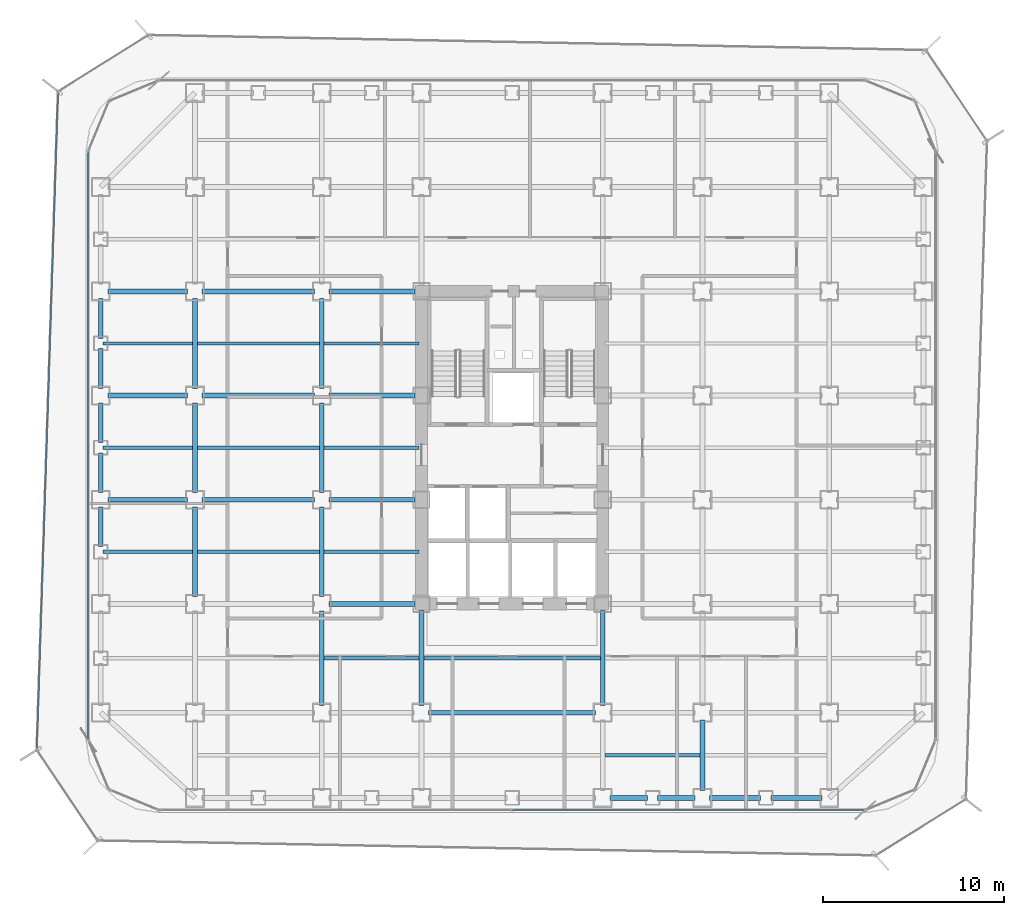
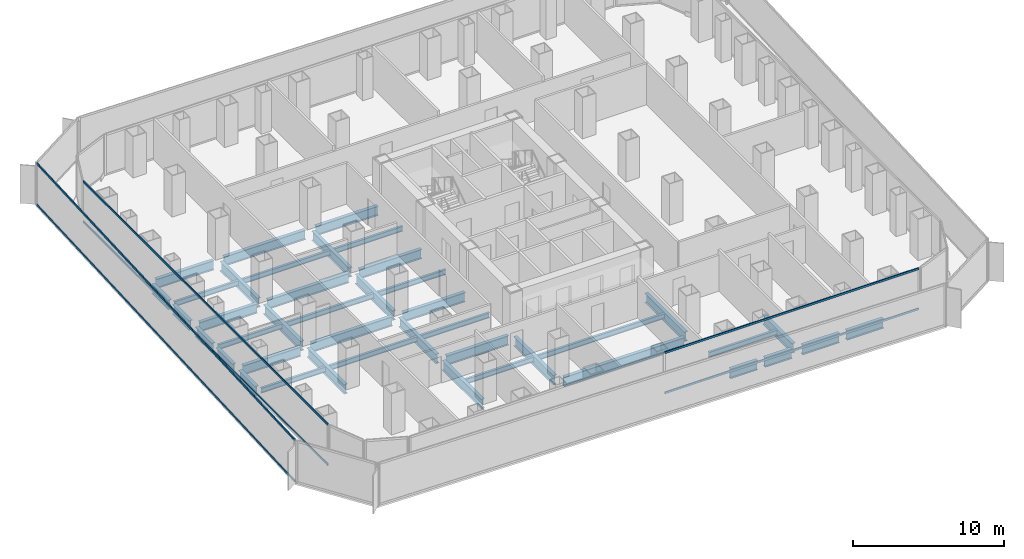
# One storey, part 5 of 22: 42 beams, 6 members, 3 elements without a shape of their own.
"""IFC4 building model written with IfcOpenShell, lengths in metres."""

from ifc_helpers import new_model, si_unit, direction, frame, origin, origin_2d, place, context, subcontext, project, spatial, hollow_rectangle, i_section, extrude, source, transform, mapped, material, layer, layer_set, material_profile, profile_set, type_object, element, aggregate, save


model = new_model("IFC4")

# Units and contexts
model_context = context("Model", 3, precision=1e-05, world=origin(), true_north=direction((0.0, 1.0)))
body_context = subcontext(model_context, "Body", "Model", "MODEL_VIEW")
ifc_project = project(units=[si_unit("LENGTHUNIT", "METRE"), si_unit("AREAUNIT", "SQUARE_METRE"), si_unit("VOLUMEUNIT", "CUBIC_METRE"), si_unit("PLANEANGLEUNIT", "RADIAN"), si_unit("MASSUNIT", "GRAM", prefix="KILO")], contexts=[model_context])

# Site, building, storey
site_placement = place(None, origin())
site = spatial("IfcSite", under=ifc_project, at=site_placement, CompositionType="ELEMENT")
building_placement = place(site_placement, origin())
building = spatial("IfcBuilding", under=site, at=building_placement, Name="Kolveth Station Tower", CompositionType="ELEMENT")
storey_placement = place(building_placement, frame((0.0, 0.0, 69.300048828125)))
storey = spatial("IfcBuildingStorey", under=building, at=storey_placement, Name="L18", CompositionType="ELEMENT", Elevation=69.300048828125)

# Beams
ifc_material_1 = material(Name="Steel S355", Category="steel")
ifc_material_profile_1 = material_profile(ifc_material_1, i_section(OverallWidth=0.26904296875, OverallDepth=0.77490234375, WebThickness=0.01708984375, FlangeThickness=0.0283203125, at=origin_2d()), Name="W760x220")
ifc_profile_set_1 = profile_set([ifc_material_profile_1], Name="Steel S355")
beam_type_1 = type_object("IfcBeamType", Name="Beam_SP1", PredefinedType="SPANDREL", material=ifc_profile_set_1)
shared_shape_1 = source(origin(), body_context, "Body", "SweptSolid", [
    extrude(i_section(OverallWidth=0.26904296875, OverallDepth=0.77490234375, WebThickness=0.01708984375, FlangeThickness=0.0283203125, at=origin_2d()), origin(), (0.0, 0.0, 1.0), 2.820068359375),
])
for number, where, z_axis, x_axis, name in (
    (1, (34.39990234375, 0.800048828125, -0.66748046875), (1.0, 0.0, 0.0), (0.0, 1.0, 0.0), "L18 Perimeter Spandrel BM-L18-PS-9"),
    (2, (37.780029296875, 0.800048828125, -0.66748046875), (1.0, 0.0, 0.0), (0.0, 1.0, 0.0), "L18 Perimeter Spandrel BM-L18-PS-10"),
):
    element("IfcBeam", number, at=place(storey_placement, frame(where, z_axis=z_axis, x_axis=x_axis)), inside=storey, type_object=beam_type_1, Name=name, PredefinedType="SPANDREL", context=body_context, shape_type="MappedRepresentation", body=[
        mapped(shared_shape_1, transform((0.0, 0.0, 0.0), x_axis=(1.0, 0.0, 0.0), y_axis=(0.0, 1.0, 0.0), z_axis=(0.0, 0.0, 1.0), scale=1.0)),
    ])
shared_shape_2 = source(origin(), body_context, "Body", "SweptSolid", [
    extrude(i_section(OverallWidth=0.26904296875, OverallDepth=0.77490234375, WebThickness=0.01708984375, FlangeThickness=0.0283203125, at=origin_2d()), origin(), (0.0, 0.0, 1.0), 2.070068359375),
])
for number, where, z_axis, x_axis, name in (
    (3, (28.89990234375, 0.800048828125, -0.66748046875), (1.0, 0.0, 0.0), (0.0, 1.0, 0.0), "L18 Perimeter Spandrel BM-L18-PS-7"),
    (4, (31.530029296875, 0.800048828125, -0.66748046875), (1.0, 0.0, 0.0), (0.0, 1.0, 0.0), "L18 Perimeter Spandrel BM-L18-PS-8"),
):
    element("IfcBeam", number, at=place(storey_placement, frame(where, z_axis=z_axis, x_axis=x_axis)), inside=storey, type_object=beam_type_1, Name=name, PredefinedType="SPANDREL", context=body_context, shape_type="MappedRepresentation", body=[
        mapped(shared_shape_2, transform((0.0, 0.0, 0.0), x_axis=(1.0, 0.0, 0.0), y_axis=(0.0, 1.0, 0.0), z_axis=(0.0, 0.0, 1.0), scale=1.0)),
    ])
shared_shape_3 = source(origin(), body_context, "Body", "SweptSolid", [
    extrude(i_section(OverallWidth=0.26904296875, OverallDepth=0.77490234375, WebThickness=0.01708984375, FlangeThickness=0.0283203125, at=origin_2d()), origin(), (0.0, 0.0, 1.0), 2.2001953125),
])
for number, where, z_axis, x_axis, name in (
    (5, (0.800048828125, 20.39990234375, -0.66748046875), (0.0, 1.0, 0.0), (-1.0, 0.0, 0.0), "L18 Perimeter Spandrel BM-L18-PW-6"),
    (6, (0.800048828125, 23.39990234375, -0.66748046875), (0.0, 1.0, 0.0), (-1.0, 0.0, 0.0), "L18 Perimeter Spandrel BM-L18-PW-7"),
):
    element("IfcBeam", number, at=place(storey_placement, frame(where, z_axis=z_axis, x_axis=x_axis)), inside=storey, type_object=beam_type_1, Name=name, PredefinedType="SPANDREL", context=body_context, shape_type="MappedRepresentation", body=[
        mapped(shared_shape_3, transform((0.0, 0.0, 0.0), x_axis=(1.0, 0.0, 0.0), y_axis=(0.0, 1.0, 0.0), z_axis=(0.0, 0.0, 1.0), scale=1.0)),
    ])
shared_shape_4 = source(origin(), body_context, "Body", "SweptSolid", [
    extrude(i_section(OverallWidth=0.26904296875, OverallDepth=0.77490234375, WebThickness=0.01708984375, FlangeThickness=0.0283203125, at=origin_2d()), origin(), (0.0, 0.0, 1.0), 2.190185546875),
])
for number, where, z_axis, x_axis, name in (
    (7, (0.800048828125, 14.659912109375, -0.66748046875), (0.0, 1.0, 0.0), (-1.0, 0.0, 0.0), "L18 Perimeter Spandrel BM-L18-PW-4"),
    (8, (0.800048828125, 17.64990234375, -0.66748046875), (0.0, 1.0, 0.0), (-1.0, 0.0, 0.0), "L18 Perimeter Spandrel BM-L18-PW-5"),
    (9, (0.800048828125, 26.159912109375, -0.66748046875), (0.0, 1.0, 0.0), (-1.0, 0.0, 0.0), "L18 Perimeter Spandrel BM-L18-PW-8"),
):
    element("IfcBeam", number, at=place(storey_placement, frame(where, z_axis=z_axis, x_axis=x_axis)), inside=storey, type_object=beam_type_1, Name=name, PredefinedType="SPANDREL", context=body_context, shape_type="MappedRepresentation", body=[
        mapped(shared_shape_4, transform((0.0, 0.0, 0.0), x_axis=(1.0, 0.0, 0.0), y_axis=(0.0, 1.0, 0.0), z_axis=(0.0, 0.0, 1.0), scale=1.0)),
    ])
ifc_material_profile_2 = material_profile(ifc_material_1, i_section(OverallWidth=0.26708984375, OverallDepth=0.76611328125, WebThickness=0.014892578125, FlangeThickness=0.023681640625, at=origin_2d()), Name="W760x185")
ifc_profile_set_2 = profile_set([ifc_material_profile_2], Name="Steel S355")
beam_type_2 = type_object("IfcBeamType", Name="Beam_B3", PredefinedType="BEAM", material=ifc_profile_set_2)
shared_shape_5 = source(origin(), body_context, "Body", "SweptSolid", [
    extrude(i_section(OverallWidth=0.26708984375, OverallDepth=0.76611328125, WebThickness=0.014892578125, FlangeThickness=0.023681640625, at=origin_2d()), origin(), (0.0, 0.0, 1.0), 4.400146484375),
])
for number, where, z_axis, x_axis, name in (
    (10, (1.199951171875, 17.25, -0.6630859375), (1.0, 0.0, 0.0), (0.0, 1.0, 0.0), "L18 Primary Girder BM-L18-GY172-1"),
    (11, (1.199951171875, 23.0, -0.6630859375), (1.0, 0.0, 0.0), (0.0, 1.0, 0.0), "L18 Primary Girder BM-L18-GY230-1"),
    (12, (1.199951171875, 28.75, -0.6630859375), (1.0, 0.0, 0.0), (0.0, 1.0, 0.0), "L18 Primary Girder BM-L18-GY287-1"),
):
    element("IfcBeam", number, at=place(storey_placement, frame(where, z_axis=z_axis, x_axis=x_axis)), inside=storey, type_object=beam_type_2, Name=name, PredefinedType="BEAM", context=body_context, shape_type="MappedRepresentation", body=[
        mapped(shared_shape_5, transform((0.0, 0.0, 0.0), x_axis=(1.0, 0.0, 0.0), y_axis=(0.0, 1.0, 0.0), z_axis=(0.0, 0.0, 1.0), scale=1.0)),
    ])
shared_shape_6 = source(origin(), body_context, "Body", "SweptSolid", [
    extrude(i_section(OverallWidth=0.26708984375, OverallDepth=0.76611328125, WebThickness=0.014892578125, FlangeThickness=0.023681640625, at=origin_2d()), origin(), (0.0, 0.0, 1.0), 6.2001953125),
])
for number, where, z_axis, x_axis, name in (
    (13, (6.39990234375, 17.25, -0.6630859375), (1.0, 0.0, 0.0), (0.0, 1.0, 0.0), "L18 Primary Girder BM-L18-GY172-2"),
    (14, (6.39990234375, 23.0, -0.6630859375), (1.0, 0.0, 0.0), (0.0, 1.0, 0.0), "L18 Primary Girder BM-L18-GY230-2"),
    (15, (6.39990234375, 28.75, -0.6630859375), (1.0, 0.0, 0.0), (0.0, 1.0, 0.0), "L18 Primary Girder BM-L18-GY287-2"),
):
    element("IfcBeam", number, at=place(storey_placement, frame(where, z_axis=z_axis, x_axis=x_axis)), inside=storey, type_object=beam_type_2, Name=name, PredefinedType="BEAM", context=body_context, shape_type="MappedRepresentation", body=[
        mapped(shared_shape_6, transform((0.0, 0.0, 0.0), x_axis=(1.0, 0.0, 0.0), y_axis=(0.0, 1.0, 0.0), z_axis=(0.0, 0.0, 1.0), scale=1.0)),
    ])
shared_shape_7 = source(origin(), body_context, "Body", "SweptSolid", [
    extrude(i_section(OverallWidth=0.26708984375, OverallDepth=0.76611328125, WebThickness=0.014892578125, FlangeThickness=0.023681640625, at=origin_2d()), origin(), (0.0, 0.0, 1.0), 9.2001953125),
])
beam_1_placement = place(storey_placement, frame((18.89990234375, 5.5, -0.6630859375), z_axis=(1.0, 0.0, 0.0), x_axis=(0.0, 1.0, 0.0)))
element("IfcBeam", 16, at=beam_1_placement, inside=storey, type_object=beam_type_2, Name="L18 Primary Girder BM-L18-GY55-4", PredefinedType="BEAM", context=body_context, shape_type="MappedRepresentation", body=[
    mapped(shared_shape_7, transform((0.0, 0.0, 0.0), x_axis=(1.0, 0.0, 0.0), y_axis=(0.0, 1.0, 0.0), z_axis=(0.0, 0.0, 1.0), scale=1.0)),
])
shared_shape_8 = source(origin(), body_context, "Body", "SweptSolid", [
    extrude(i_section(OverallWidth=0.26708984375, OverallDepth=0.76611328125, WebThickness=0.014892578125, FlangeThickness=0.023681640625, at=origin_2d()), origin(), (0.0, 0.0, 1.0), 4.739990234375),
])
for number, where, z_axis, x_axis, name in (
    (17, (13.39990234375, 11.5, -0.6630859375), (1.0, 0.0, 0.0), (0.0, 1.0, 0.0), "L18 Primary Girder BM-L18-GY115-3"),
    (18, (13.39990234375, 17.25, -0.6630859375), (1.0, 0.0, 0.0), (0.0, 1.0, 0.0), "L18 Primary Girder BM-L18-GY172-3"),
    (19, (13.39990234375, 23.0, -0.6630859375), (1.0, 0.0, 0.0), (0.0, 1.0, 0.0), "L18 Primary Girder BM-L18-GY230-3"),
    (20, (13.39990234375, 28.75, -0.6630859375), (1.0, 0.0, 0.0), (0.0, 1.0, 0.0), "L18 Primary Girder BM-L18-GY287-3"),
):
    element("IfcBeam", number, at=place(storey_placement, frame(where, z_axis=z_axis, x_axis=x_axis)), inside=storey, type_object=beam_type_2, Name=name, PredefinedType="BEAM", context=body_context, shape_type="MappedRepresentation", body=[
        mapped(shared_shape_8, transform((0.0, 0.0, 0.0), x_axis=(1.0, 0.0, 0.0), y_axis=(0.0, 1.0, 0.0), z_axis=(0.0, 0.0, 1.0), scale=1.0)),
    ])
shared_shape_9 = source(origin(), body_context, "Body", "SweptSolid", [
    extrude(i_section(OverallWidth=0.26708984375, OverallDepth=0.76611328125, WebThickness=0.014892578125, FlangeThickness=0.023681640625, at=origin_2d()), origin(), (0.0, 0.0, 1.0), 3.900146484375),
])
beam_2_placement = place(storey_placement, frame((34.0, 1.199951171875, -0.6630859375), z_axis=(0.0, 1.0, 0.0), x_axis=(-1.0, 0.0, 0.0)))
element("IfcBeam", 21, at=beam_2_placement, inside=storey, type_object=beam_type_2, Name="L18 Primary Girder BM-L18-GX340-1", PredefinedType="BEAM", context=body_context, shape_type="MappedRepresentation", body=[
    mapped(shared_shape_9, transform((0.0, 0.0, 0.0), x_axis=(1.0, 0.0, 0.0), y_axis=(0.0, 1.0, 0.0), z_axis=(0.0, 0.0, 1.0), scale=1.0)),
])
shared_shape_10 = source(origin(), body_context, "Body", "SweptSolid", [
    extrude(i_section(OverallWidth=0.26708984375, OverallDepth=0.76611328125, WebThickness=0.014892578125, FlangeThickness=0.023681640625, at=origin_2d()), origin(), (0.0, 0.0, 1.0), 5.2001953125),
])
beam_3_placement = place(storey_placement, frame((13.0, 5.89990234375, -0.6630859375), z_axis=(0.0, 1.0, 0.0), x_axis=(-1.0, 0.0, 0.0)))
element("IfcBeam", 22, at=beam_3_placement, inside=storey, type_object=beam_type_2, Name="L18 Primary Girder BM-L18-GX130-2", PredefinedType="BEAM", context=body_context, shape_type="MappedRepresentation", body=[
    mapped(shared_shape_10, transform((0.0, 0.0, 0.0), x_axis=(1.0, 0.0, 0.0), y_axis=(0.0, 1.0, 0.0), z_axis=(0.0, 0.0, 1.0), scale=1.0)),
])
shared_shape_11 = source(origin(), body_context, "Body", "SweptSolid", [
    extrude(i_section(OverallWidth=0.26708984375, OverallDepth=0.76611328125, WebThickness=0.014892578125, FlangeThickness=0.023681640625, at=origin_2d()), origin(), (0.0, 0.0, 1.0), 4.9501953125),
])
for number, where, z_axis, x_axis, name in (
    (23, (6.0, 11.89990234375, -0.6630859375), (0.0, 1.0, 0.0), (-1.0, 0.0, 0.0), "L18 Primary Girder BM-L18-GX60-3"),
    (24, (6.0, 17.64990234375, -0.6630859375), (0.0, 1.0, 0.0), (-1.0, 0.0, 0.0), "L18 Primary Girder BM-L18-GX60-4"),
    (25, (6.0, 23.39990234375, -0.6630859375), (0.0, 1.0, 0.0), (-1.0, 0.0, 0.0), "L18 Primary Girder BM-L18-GX60-5"),
    (26, (13.0, 11.89990234375, -0.6630859375), (0.0, 1.0, 0.0), (-1.0, 0.0, 0.0), "L18 Primary Girder BM-L18-GX130-3"),
    (27, (13.0, 17.64990234375, -0.6630859375), (0.0, 1.0, 0.0), (-1.0, 0.0, 0.0), "L18 Primary Girder BM-L18-GX130-4"),
    (28, (13.0, 23.39990234375, -0.6630859375), (0.0, 1.0, 0.0), (-1.0, 0.0, 0.0), "L18 Primary Girder BM-L18-GX130-5"),
):
    element("IfcBeam", number, at=place(storey_placement, frame(where, z_axis=z_axis, x_axis=x_axis)), inside=storey, type_object=beam_type_2, Name=name, PredefinedType="BEAM", context=body_context, shape_type="MappedRepresentation", body=[
        mapped(shared_shape_11, transform((0.0, 0.0, 0.0), x_axis=(1.0, 0.0, 0.0), y_axis=(0.0, 1.0, 0.0), z_axis=(0.0, 0.0, 1.0), scale=1.0)),
    ])
shared_shape_12 = source(origin(), body_context, "Body", "SweptSolid", [
    extrude(i_section(OverallWidth=0.26708984375, OverallDepth=0.76611328125, WebThickness=0.014892578125, FlangeThickness=0.023681640625, at=origin_2d()), origin(), (0.0, 0.0, 1.0), 5.239990234375),
])
for number, where, z_axis, x_axis, name in (
    (29, (18.5, 5.89990234375, -0.6630859375), (0.0, 1.0, 0.0), (-1.0, 0.0, 0.0), "L18 Primary Girder BM-L18-GX185-2"),
    (30, (28.5, 5.89990234375, -0.6630859375), (0.0, 1.0, 0.0), (-1.0, 0.0, 0.0), "L18 Primary Girder BM-L18-GX285-2"),
):
    element("IfcBeam", number, at=place(storey_placement, frame(where, z_axis=z_axis, x_axis=x_axis)), inside=storey, type_object=beam_type_2, Name=name, PredefinedType="BEAM", context=body_context, shape_type="MappedRepresentation", body=[
        mapped(shared_shape_12, transform((0.0, 0.0, 0.0), x_axis=(1.0, 0.0, 0.0), y_axis=(0.0, 1.0, 0.0), z_axis=(0.0, 0.0, 1.0), scale=1.0)),
    ])
ifc_material_profile_3 = material_profile(ifc_material_1, i_section(OverallWidth=0.177978515625, OverallDepth=0.406982421875, WebThickness=0.0078125, FlangeThickness=0.0126953125, at=origin_2d()), Name="W410x60")
ifc_profile_set_3 = profile_set([ifc_material_profile_3], Name="Steel S355")
beam_type_3 = type_object("IfcBeamType", Name="Beam_J1", PredefinedType="JOIST", material=ifc_profile_set_3)
shared_shape_13 = source(origin(), body_context, "Body", "SweptSolid", [
    extrude(i_section(OverallWidth=0.177978515625, OverallDepth=0.406982421875, WebThickness=0.0078125, FlangeThickness=0.0126953125, at=origin_2d()), origin(), (0.0, 0.0, 1.0), 4.935791015625),
])
for number, where, z_axis, x_axis, name in (
    (31, (0.9326171875, 14.375, -0.483642578125), (1.0, 0.0, 0.0), (0.0, 1.0, 0.0), "L18 Secondary Joist JST-L18-1-3"),
    (32, (0.9326171875, 20.125, -0.483642578125), (1.0, 0.0, 0.0), (0.0, 1.0, 0.0), "L18 Secondary Joist JST-L18-1-4"),
    (33, (0.9326171875, 25.875, -0.483642578125), (1.0, 0.0, 0.0), (0.0, 1.0, 0.0), "L18 Secondary Joist JST-L18-1-5"),
):
    element("IfcBeam", number, at=place(storey_placement, frame(where, z_axis=z_axis, x_axis=x_axis)), inside=storey, type_object=beam_type_3, Name=name, PredefinedType="JOIST", context=body_context, shape_type="MappedRepresentation", body=[
        mapped(shared_shape_13, transform((0.0, 0.0, 0.0), x_axis=(1.0, 0.0, 0.0), y_axis=(0.0, 1.0, 0.0), z_axis=(0.0, 0.0, 1.0), scale=1.0)),
    ])
shared_shape_14 = source(origin(), body_context, "Body", "SweptSolid", [
    extrude(i_section(OverallWidth=0.177978515625, OverallDepth=0.406982421875, WebThickness=0.0078125, FlangeThickness=0.0126953125, at=origin_2d()), origin(), (0.0, 0.0, 1.0), 6.73681640625),
])
for number, where, z_axis, x_axis, name in (
    (34, (6.131591796875, 14.375, -0.483642578125), (1.0, 0.0, 0.0), (0.0, 1.0, 0.0), "L18 Secondary Joist JST-L18-2-3"),
    (35, (6.131591796875, 20.125, -0.483642578125), (1.0, 0.0, 0.0), (0.0, 1.0, 0.0), "L18 Secondary Joist JST-L18-2-4"),
    (36, (6.131591796875, 25.875, -0.483642578125), (1.0, 0.0, 0.0), (0.0, 1.0, 0.0), "L18 Secondary Joist JST-L18-2-5"),
):
    element("IfcBeam", number, at=place(storey_placement, frame(where, z_axis=z_axis, x_axis=x_axis)), inside=storey, type_object=beam_type_3, Name=name, PredefinedType="JOIST", context=body_context, shape_type="MappedRepresentation", body=[
        mapped(shared_shape_14, transform((0.0, 0.0, 0.0), x_axis=(1.0, 0.0, 0.0), y_axis=(0.0, 1.0, 0.0), z_axis=(0.0, 0.0, 1.0), scale=1.0)),
    ])
shared_shape_15 = source(origin(), body_context, "Body", "SweptSolid", [
    extrude(i_section(OverallWidth=0.177978515625, OverallDepth=0.406982421875, WebThickness=0.0078125, FlangeThickness=0.0126953125, at=origin_2d()), origin(), (0.0, 0.0, 1.0), 5.23681640625),
])
for number, where, z_axis, x_axis, name in (
    (37, (13.131591796875, 8.5, -0.483642578125), (1.0, 0.0, 0.0), (0.0, 1.0, 0.0), "L18 Secondary Joist JST-L18-3-2"),
    (38, (13.131591796875, 14.375, -0.483642578125), (1.0, 0.0, 0.0), (0.0, 1.0, 0.0), "L18 Secondary Joist JST-L18-3-3"),
    (39, (13.131591796875, 20.125, -0.483642578125), (1.0, 0.0, 0.0), (0.0, 1.0, 0.0), "L18 Secondary Joist JST-L18-3-4"),
    (40, (13.131591796875, 25.875, -0.483642578125), (1.0, 0.0, 0.0), (0.0, 1.0, 0.0), "L18 Secondary Joist JST-L18-3-5"),
    (41, (28.631591796875, 3.14990234375, -0.483642578125), (1.0, 0.0, 0.0), (0.0, 1.0, 0.0), "L18 Secondary Joist JST-L18-5-1"),
):
    element("IfcBeam", number, at=place(storey_placement, frame(where, z_axis=z_axis, x_axis=x_axis)), inside=storey, type_object=beam_type_3, Name=name, PredefinedType="JOIST", context=body_context, shape_type="MappedRepresentation", body=[
        mapped(shared_shape_15, transform((0.0, 0.0, 0.0), x_axis=(1.0, 0.0, 0.0), y_axis=(0.0, 1.0, 0.0), z_axis=(0.0, 0.0, 1.0), scale=1.0)),
    ])
shared_shape_16 = source(origin(), body_context, "Body", "SweptSolid", [
    extrude(i_section(OverallWidth=0.177978515625, OverallDepth=0.406982421875, WebThickness=0.0078125, FlangeThickness=0.0126953125, at=origin_2d()), origin(), (0.0, 0.0, 1.0), 9.73681640625),
])
beam_4_placement = place(storey_placement, frame((18.631591796875, 8.5, -0.483642578125), z_axis=(1.0, 0.0, 0.0), x_axis=(0.0, 1.0, 0.0)))
element("IfcBeam", 42, at=beam_4_placement, inside=storey, type_object=beam_type_3, Name="L18 Secondary Joist JST-L18-4-2", PredefinedType="JOIST", context=body_context, shape_type="MappedRepresentation", body=[
    mapped(shared_shape_16, transform((0.0, 0.0, 0.0), x_axis=(1.0, 0.0, 0.0), y_axis=(0.0, 1.0, 0.0), z_axis=(0.0, 0.0, 1.0), scale=1.0)),
])

# Curtain wall, members
ifc_material_2 = material(Name="Aluminium 6063-T6 and low-E dark glass", Category="aluminium")
ifc_layer_1 = layer(ifc_material_2, 0.179931640625)
ifc_layer_set_1 = layer_set([ifc_layer_1], Name="Aluminium 6063-T6 and low-E dark glass")
curtain_wall_type_1 = type_object("IfcCurtainWallType", Name="CurtainWall_CW-Z1", PredefinedType="NOTDEFINED", material=ifc_layer_set_1)
curtain_wall_1_placement = place(storey_placement, origin())
curtain_wall_1 = element("IfcCurtainWall", 43, at=curtain_wall_1_placement, inside=storey, type_object=curtain_wall_type_1, Name="L18 Inner Thermal Curtain Wall 9", PredefinedType="NOTDEFINED")
ifc_material_3 = material(Name="Black anodized aluminium 6063-T6", Category="aluminium")
ifc_material_profile_4 = material_profile(ifc_material_3, hollow_rectangle(XDim=0.074951171875, YDim=0.159912109375, WallThickness=0.0048828125, at=origin_2d()), Name="ALU-75x160x5")
ifc_profile_set_4 = profile_set([ifc_material_profile_4], Name="Black anodized aluminium 6063-T6")
member_type_1 = type_object("IfcMemberType", Name="Transom_TR1", PredefinedType="USERDEFINED", material=ifc_profile_set_4)
shared_shape_17 = source(origin(), body_context, "Body", "SweptSolid", [
    extrude(hollow_rectangle(XDim=0.074951171875, YDim=0.159912109375, WallThickness=0.0048828125, at=origin_2d()), origin(), (0.0, 0.0, 1.0), 32.35009765625),
])
member_1_placement = place(storey_placement, frame((0.1201171875, 36.425048828125, 0.037353515625), z_axis=(0.0, -1.0, 0.0), x_axis=(1.0, 0.0, 0.0)))
member_1 = element("IfcMember", 44, at=member_1_placement, type_object=member_type_1, Name="CW-Z1 transom 1.1", ObjectType="TRANSOM", PredefinedType="USERDEFINED", context=body_context, shape_type="MappedRepresentation", body=[
    mapped(shared_shape_17, transform((0.0, 0.0, 0.0), x_axis=(1.0, 0.0, 0.0), y_axis=(0.0, 1.0, 0.0), z_axis=(0.0, 0.0, 1.0), scale=1.0)),
])
member_2_placement = place(storey_placement, frame((0.1201171875, 36.425048828125, 3.282470703125), z_axis=(0.0, -1.0, 0.0), x_axis=(1.0, 0.0, 0.0)))
member_2 = element("IfcMember", 45, at=member_2_placement, type_object=member_type_1, Name="CW-Z1 transom 1.2", ObjectType="TRANSOM", PredefinedType="USERDEFINED", context=body_context, shape_type="MappedRepresentation", body=[
    mapped(shared_shape_17, transform((0.0, 0.0, 0.0), x_axis=(1.0, 0.0, 0.0), y_axis=(0.0, 1.0, 0.0), z_axis=(0.0, 0.0, 1.0), scale=1.0)),
])
aggregate(curtain_wall_1, [member_1, member_2])

curtain_wall_2_placement = place(storey_placement, origin())
curtain_wall_2 = element("IfcCurtainWall", 46, at=curtain_wall_2_placement, inside=storey, type_object=curtain_wall_type_1, Name="L18 Inner Thermal Curtain Wall 12", PredefinedType="NOTDEFINED")
shared_shape_18 = source(origin(), body_context, "Body", "SweptSolid", [
    extrude(hollow_rectangle(XDim=0.074951171875, YDim=0.159912109375, WallThickness=0.0048828125, at=origin_2d()), origin(), (0.0, 0.0, 1.0), 19.387451171875),
])
member_3_placement = place(storey_placement, frame((23.53759765625, 0.1201171875, 0.037353515625), z_axis=(1.0, 0.0, 0.0), x_axis=(0.0, 1.0, 0.0)))
member_3 = element("IfcMember", 47, at=member_3_placement, type_object=member_type_1, Name="CW-Z1 transom 2.1", ObjectType="TRANSOM", PredefinedType="USERDEFINED", context=body_context, shape_type="MappedRepresentation", body=[
    mapped(shared_shape_18, transform((0.0, 0.0, 0.0), x_axis=(1.0, 0.0, 0.0), y_axis=(0.0, 1.0, 0.0), z_axis=(0.0, 0.0, 1.0), scale=1.0)),
])
member_4_placement = place(storey_placement, frame((23.53759765625, 0.1201171875, 3.282470703125), z_axis=(1.0, 0.0, 0.0), x_axis=(0.0, 1.0, 0.0)))
member_4 = element("IfcMember", 48, at=member_4_placement, type_object=member_type_1, Name="CW-Z1 transom 2.2", ObjectType="TRANSOM", PredefinedType="USERDEFINED", context=body_context, shape_type="MappedRepresentation", body=[
    mapped(shared_shape_18, transform((0.0, 0.0, 0.0), x_axis=(1.0, 0.0, 0.0), y_axis=(0.0, 1.0, 0.0), z_axis=(0.0, 0.0, 1.0), scale=1.0)),
])
aggregate(curtain_wall_2, [member_3, member_4])

ifc_material_4 = material(Name="Black anodized aluminium 6063-T6 and dark solar glass", Category="aluminium")
ifc_layer_2 = layer(ifc_material_4, 0.159912109375)
ifc_layer_set_2 = layer_set([ifc_layer_2], Name="Black anodized aluminium 6063-T6 and dark solar glass")
curtain_wall_type_2 = type_object("IfcCurtainWallType", Name="OUTER SKIN CW-OS", PredefinedType="NOTDEFINED", material=ifc_layer_set_2)
curtain_wall_3_placement = place(storey_placement, origin())
curtain_wall_3 = element("IfcCurtainWall", 49, at=curtain_wall_3_placement, inside=storey, type_object=curtain_wall_type_2, Name="L18 Outer Ventilated Skin Curtain Wall 6", PredefinedType="NOTDEFINED")
ifc_material_profile_5 = material_profile(ifc_material_3, hollow_rectangle(XDim=0.080078125, YDim=0.14990234375, WallThickness=0.0048828125, at=origin_2d()), Name="ALU-80x150x5")
ifc_profile_set_5 = profile_set([ifc_material_profile_5], Name="Black anodized aluminium 6063-T6")
member_type_2 = type_object("IfcMemberType", Name="Transom_TR-OS", PredefinedType="USERDEFINED", material=ifc_profile_set_5)
shared_shape_19 = source(origin(), body_context, "Body", "SweptSolid", [
    extrude(hollow_rectangle(XDim=0.080078125, YDim=0.14990234375, WallThickness=0.0048828125, at=origin_2d()), origin(), (0.0, 0.0, 1.0), 36.166015625),
])
member_5_placement = place(storey_placement, frame((-1.552001953125, 39.685546875, 0.0400390625), z_axis=(-0.032328307008, -0.999477303677, 0.0), x_axis=(0.999477303677, -0.032328307008, 0.0)))
member_5 = element("IfcMember", 50, at=member_5_placement, type_object=member_type_2, Name="CW-OS transom 1.1", ObjectType="TRANSOM", PredefinedType="USERDEFINED", context=body_context, shape_type="MappedRepresentation", body=[
    mapped(shared_shape_19, transform((0.0, 0.0, 0.0), x_axis=(1.0, 0.0, 0.0), y_axis=(0.0, 1.0, 0.0), z_axis=(0.0, 0.0, 1.0), scale=1.0)),
])
member_6_placement = place(storey_placement, frame((-1.552001953125, 39.685546875, 3.349853515625), z_axis=(-0.032328307008, -0.999477303677, 0.0), x_axis=(0.999477303677, -0.032328307008, 0.0)))
member_6 = element("IfcMember", 51, at=member_6_placement, type_object=member_type_2, Name="CW-OS transom 1.2", ObjectType="TRANSOM", PredefinedType="USERDEFINED", context=body_context, shape_type="MappedRepresentation", body=[
    mapped(shared_shape_19, transform((0.0, 0.0, 0.0), x_axis=(1.0, 0.0, 0.0), y_axis=(0.0, 1.0, 0.0), z_axis=(0.0, 0.0, 1.0), scale=1.0)),
])
aggregate(curtain_wall_3, [member_5, member_6])

save(model, "model.ifc")
